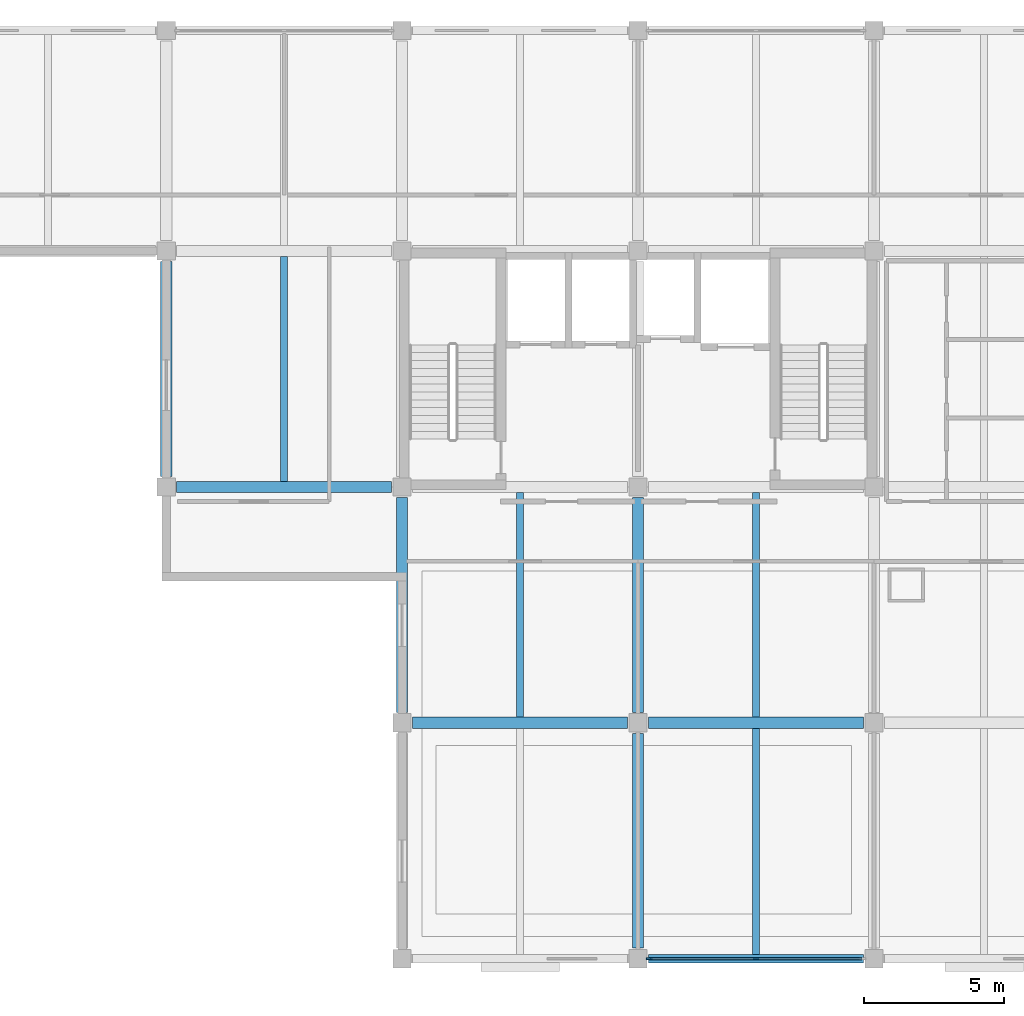
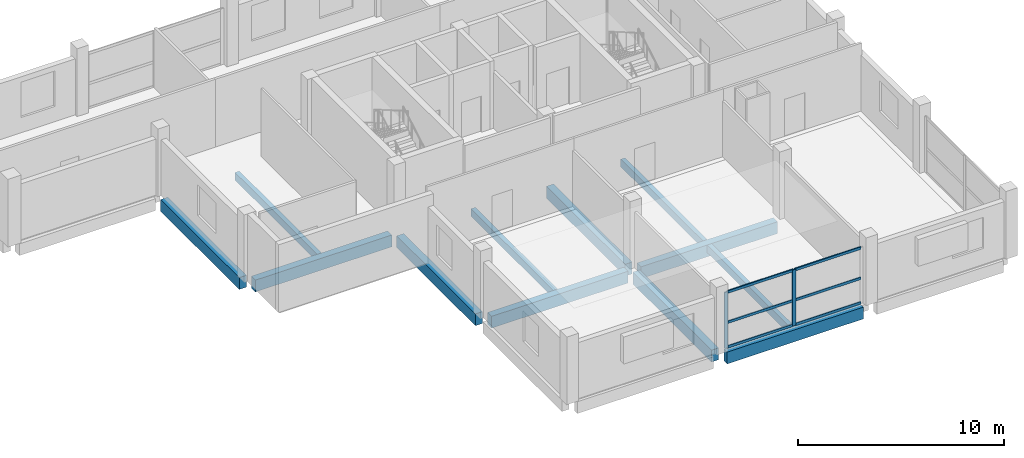
# One storey, part 2 of 9: 12 beams, 8 members, 1 element without a shape of its own.
"""IFC4 building model written with IfcOpenShell, lengths in metres."""

import ifcopenshell
import ifcopenshell.guid

model = None  # the IFC model being written
_history = None  # IfcOwnerHistory: only IFC2X3 demands one
_inside = {}  # id of a spatial element -> (the spatial element, [elements in it])
_under = {}  # id of a project, library or spatial element -> (it, [spatial elements below it])
_declared = {}  # id of a project -> (the project, [libraries it declares])
_typed = {}  # id of a type object -> (the type object, [elements of that type])
_made_of = {}  # id of a material, layer set ... -> (it, [elements and type objects made of it])


def new_model(schema):
    """Start an empty IFC model of exactly this schema.

    Asked for "IFC4X3", IfcOpenShell would pick the latest addendum, in which some entities
    have other attributes; the version numbers below select the first issue.
    IFC2X3 requires an IfcOwnerHistory on every rooted entity: one is made here for all.
    """
    global model, _history
    if schema == "IFC4X3":
        model = ifcopenshell.file(schema_version=(4, 3, 0, 0))
    else:
        model = ifcopenshell.file(schema=schema)
    _inside.clear()
    _under.clear()
    _declared.clear()
    _typed.clear()
    _made_of.clear()
    _history = None
    if model.schema == "IFC2X3":
        org = make("IfcOrganization", Name="unknown")
        user = make(
            "IfcPersonAndOrganization",
            ThePerson=make("IfcPerson", FamilyName="unknown"),
            TheOrganization=org,
        )
        app = make(
            "IfcApplication",
            ApplicationDeveloper=org,
            Version="unknown",
            ApplicationFullName="unknown",
            ApplicationIdentifier="unknown",
        )
        _history = make(
            "IfcOwnerHistory",
            OwningUser=user,
            OwningApplication=app,
            ChangeAction="ADDED",
            CreationDate=0,
        )
    return model


def make(cls, **values):
    """One entity of the class cls with the attributes given. An attribute that is None is left unset."""
    return model.create_entity(
        cls, **{name: value for name, value in values.items() if value is not None}
    )


def rooted(cls, **values):
    """An entity with a GlobalId (a new one), such as an element, a storey or a relation."""
    return make(cls, GlobalId=ifcopenshell.guid.new(), OwnerHistory=_history, **values)


def si_unit(unit_type, name, prefix=None):
    """IfcSIUnit, for example si_unit("LENGTHUNIT", "METRE", prefix="MILLI")."""
    return make("IfcSIUnit", UnitType=unit_type, Prefix=prefix, Name=name)


def assignment(units):
    """IfcUnitAssignment: the units of a project."""
    return None if units is None else make("IfcUnitAssignment", Units=units)


def point(xyz):
    """IfcCartesianPoint."""
    return None if xyz is None else make("IfcCartesianPoint", Coordinates=xyz)


def direction(xyz):
    """IfcDirection."""
    return None if xyz is None else make("IfcDirection", DirectionRatios=xyz)


def frame(location, z_axis=None, x_axis=None):
    """IfcAxis2Placement3D, a coordinate frame: its origin and axes. An axis left out is left unset."""
    return make(
        "IfcAxis2Placement3D",
        Location=point(location),
        Axis=direction(z_axis),
        RefDirection=direction(x_axis),
    )


def frame_2d(location, x_axis=None):
    """IfcAxis2Placement2D, a coordinate frame in the plane: its origin and x axis."""
    return make(
        "IfcAxis2Placement2D", Location=point(location), RefDirection=direction(x_axis)
    )


def origin():
    """The frame at (0, 0, 0) with its axes left unset."""
    return frame((0.0, 0.0, 0.0))


def origin_2d():
    """The frame at (0, 0) in the plane with its x axis left unset."""
    return frame_2d((0.0, 0.0))


def place(relative_to, where):
    """IfcLocalPlacement: puts the frame where relative to a parent placement (None: the world)."""
    return make(
        "IfcLocalPlacement", PlacementRelTo=relative_to, RelativePlacement=where
    )


def context(
    kind, dimensions, precision=None, world=None, true_north=None, identifier=None
):
    """IfcGeometricRepresentationContext, for example the 3D "Model" context."""
    return make(
        "IfcGeometricRepresentationContext",
        ContextIdentifier=identifier,
        ContextType=kind,
        CoordinateSpaceDimension=dimensions,
        Precision=precision,
        WorldCoordinateSystem=world,
        TrueNorth=true_north,
    )


def subcontext(parent, identifier, kind, view, scale=None):
    """IfcGeometricRepresentationSubContext, for example "Body" below "Model"."""
    return make(
        "IfcGeometricRepresentationSubContext",
        ContextIdentifier=identifier,
        ContextType=kind,
        ParentContext=parent,
        TargetScale=scale,
        TargetView=view,
    )


def project(units=None, contexts=None):
    """IfcProject with its units and contexts."""
    return rooted(
        "IfcProject",
        Name="project",
        RepresentationContexts=contexts,
        UnitsInContext=assignment(units),
    )


def spatial(cls, under=None, at=None, **own):
    """A site, building, storey or space (cls), placed at a placement, below another one or the project."""
    s = rooted(cls, ObjectPlacement=at, **own)
    if under is not None:
        _under.setdefault(under.id(), (under, []))[1].append(s)
    return s


def profile(cls, at=None, kind="AREA", **sizes):
    """A parametric profile (cls). Its sizes go by their IFC names, for example OverallWidth=200.0."""
    return make(cls, ProfileType=kind, Position=at, **sizes)


def rectangle(**sizes):
    """IfcRectangleProfileDef."""
    return profile("IfcRectangleProfileDef", **sizes)


def extrude(swept, where, along, depth):
    """IfcExtrudedAreaSolid: the profile swept, set in the frame where, extruded along a direction by depth."""
    return make(
        "IfcExtrudedAreaSolid",
        SweptArea=swept,
        Position=where,
        ExtrudedDirection=direction(along),
        Depth=depth,
    )


def shape(context_of_items, identifier, shape_type, items):
    """IfcShapeRepresentation: the items that make up one representation, for example the "Body"."""
    return make(
        "IfcShapeRepresentation",
        ContextOfItems=context_of_items,
        RepresentationIdentifier=identifier,
        RepresentationType=shape_type,
        Items=items,
    )


def material(Name=None, Category=None):
    """IfcMaterial."""
    return make("IfcMaterial", Name=Name, Category=Category)


def material_profile(
    of_material, cross_section, Name=None, Category=None, Priority=None
):
    """IfcMaterialProfile: a cross section and its material."""
    return make(
        "IfcMaterialProfile",
        Name=Name,
        Material=of_material,
        Profile=cross_section,
        Priority=Priority,
        Category=Category,
    )


def profile_set(profiles, Name=None, composite=None):
    """IfcMaterialProfileSet."""
    return make(
        "IfcMaterialProfileSet",
        Name=Name,
        MaterialProfiles=profiles,
        CompositeProfile=composite,
    )


def made_of(thing, what):
    """Note that an element or type object is made of a material, layer set ...; save() writes the relation."""
    if what is not None:
        _made_of.setdefault(what.id(), (what, []))[1].append(thing)
    return thing


def type_object(cls, material=None, **own):
    """A type object (cls), such as IfcWallType, which elements share."""
    return made_of(rooted(cls, **own), material)


def element(
    cls,
    number,
    at=None,
    inside=None,
    cuts=None,
    type_object=None,
    material=None,
    context=None,
    identifier="Body",
    shape_type=None,
    held_by="IfcProductDefinitionShape",
    body=None,
    shapes=None,
    **own,
):
    """One element of the class cls, such as IfcWall. Its Tag is "e" and its number.

    at: its placement. inside: the storey or other place that contains it. cuts: it is an
    opening in that element (IfcRelVoidsElement). A single representation is given by context,
    identifier, shape_type and body (its items); several are given by shapes. held_by: the class
    of the entity that holds the representations. save() writes the other relations.
    """
    e = rooted(cls, Tag="e%d" % number, ObjectPlacement=at, **own)
    if body is not None:
        shapes = [shape(context, identifier, shape_type, body)]
    if shapes is not None:
        e.Representation = make(held_by, Representations=shapes)
    if inside is not None:
        _inside.setdefault(inside.id(), (inside, []))[1].append(e)
    if cuts is not None:
        rooted(
            "IfcRelVoidsElement", RelatingBuildingElement=cuts, RelatedOpeningElement=e
        )
    if type_object is not None:
        _typed.setdefault(type_object.id(), (type_object, []))[1].append(e)
    return made_of(e, material)


def aggregate(whole, parts):
    """IfcRelAggregates: a whole, such as a stair, and the parts it consists of."""
    return rooted("IfcRelAggregates", RelatingObject=whole, RelatedObjects=parts)


def save(model, path):
    """Write the relations noted so far, then the file.

    IfcRelAggregates (storeys below a building ...), IfcRelContainedInSpatialStructure (elements
    in a storey), IfcRelDefinesByType, IfcRelAssociatesMaterial and IfcRelDeclares: one each for
    every whole, place, type object, material and project.
    """
    for whole, parts in _under.values():
        aggregate(whole, parts)
    for where, things in _inside.values():
        rooted(
            "IfcRelContainedInSpatialStructure",
            RelatedElements=things,
            RelatingStructure=where,
        )
    for kind, things in _typed.values():
        rooted("IfcRelDefinesByType", RelatedObjects=things, RelatingType=kind)
    for what, things in _made_of.values():
        rooted("IfcRelAssociatesMaterial", RelatedObjects=things, RelatingMaterial=what)
    for by, libraries in _declared.values():
        rooted("IfcRelDeclares", RelatingContext=by, RelatedDefinitions=libraries)
    model.write(path)


model = new_model("IFC4")

# Units and contexts
model_context = context("Model", 3, precision=1e-05, world=origin(), true_north=direction((0.0, 1.0)))
body_context = subcontext(model_context, "Body", "Model", "MODEL_VIEW")
ifc_project = project(units=[si_unit("LENGTHUNIT", "METRE"), si_unit("AREAUNIT", "SQUARE_METRE"), si_unit("VOLUMEUNIT", "CUBIC_METRE"), si_unit("PLANEANGLEUNIT", "RADIAN"), si_unit("MASSUNIT", "GRAM", prefix="KILO")], contexts=[model_context])

# Site, building, storey
site_placement = place(None, origin())
site = spatial("IfcSite", under=ifc_project, at=site_placement, CompositionType="ELEMENT")
building_placement = place(site_placement, origin())
building = spatial("IfcBuilding", under=site, at=building_placement, Name="Brinegate Botanical Conservatory", CompositionType="ELEMENT")
storey_placement = place(building_placement, frame((0.0, 0.0, 57.0)))
storey = spatial("IfcBuildingStorey", under=building, at=storey_placement, Name="L14", CompositionType="ELEMENT", Elevation=57.0)

# Beams
ifc_material_1 = material(Name="Concrete C40/50", Category="concrete")
ifc_material_profile_1 = material_profile(ifc_material_1, rectangle(XDim=0.39990234375, YDim=0.699951171875, at=origin_2d()), Name="RC BM 400x700")
ifc_profile_set_1 = profile_set([ifc_material_profile_1], Name="Concrete C40/50")
beam_type_1 = type_object("IfcBeamType", Name="Beam_BM-T2", PredefinedType="BEAM", material=ifc_profile_set_1)
beam_1_placement = place(storey_placement, frame((139.175048828125, 86.800048828125, -0.52001953125), z_axis=(1.0, 0.0, 0.0), x_axis=(0.0, 1.0, 0.0)))
element("IfcBeam", 1, at=beam_1_placement, inside=storey, type_object=beam_type_1, Name="Beam BM-T2 L14 L:18-19", PredefinedType="BEAM", context=body_context, shape_type="SweptSolid", body=[
    extrude(rectangle(XDim=0.39990234375, YDim=0.699951171875, at=origin_2d()), origin(), (0.0, 0.0, 1.0), 7.64990234375),
])
for number, where, z_axis, x_axis, name in (
    (2, (147.574951171875, 86.800048828125, -0.52001953125), (1.0, 0.0, 0.0), (0.0, 1.0, 0.0), "Beam BM-T2 L14 L:19-20"),
    (3, (130.77490234375, 95.199951171875, -0.52001953125), (1.0, 0.0, 0.0), (0.0, 1.0, 0.0), "Beam BM-T2 L14 M:17-18"),
    (4, (130.39990234375, 95.574951171875, -0.52001953125), (0.0, 1.0, 0.0), (-1.0, 0.0, 0.0), "Beam BM-T2 L14 17:M-N"),
):
    element("IfcBeam", number, at=place(storey_placement, frame(where, z_axis=z_axis, x_axis=x_axis)), inside=storey, type_object=beam_type_1, Name=name, PredefinedType="BEAM", context=body_context, shape_type="SweptSolid", body=[
        extrude(rectangle(XDim=0.39990234375, YDim=0.699951171875, at=origin_2d()), origin(), (0.0, 0.0, 1.0), 7.650146484375),
    ])
beam_2_placement = place(storey_placement, frame((138.800048828125, 87.175048828125, -0.52001953125), z_axis=(0.0, 1.0, 0.0), x_axis=(-1.0, 0.0, 0.0)))
element("IfcBeam", 5, at=beam_2_placement, inside=storey, type_object=beam_type_1, Name="Beam BM-T2 L14 18:L-M", PredefinedType="BEAM", context=body_context, shape_type="SweptSolid", body=[
    extrude(rectangle(XDim=0.39990234375, YDim=0.699951171875, at=origin_2d()), origin(), (0.0, 0.0, 1.0), 7.64990234375),
])
beam_3_placement = place(storey_placement, frame((147.199951171875, 78.77490234375, -0.52001953125), z_axis=(0.0, 1.0, 0.0), x_axis=(-1.0, 0.0, 0.0)))
element("IfcBeam", 6, at=beam_3_placement, inside=storey, type_object=beam_type_1, Name="Beam BM-T2 L14 19:K-L", PredefinedType="BEAM", context=body_context, shape_type="SweptSolid", body=[
    extrude(rectangle(XDim=0.39990234375, YDim=0.699951171875, at=origin_2d()), origin(), (0.0, 0.0, 1.0), 7.650146484375),
])
beam_4_placement = place(storey_placement, frame((147.199951171875, 87.175048828125, -0.52001953125), z_axis=(0.0, 1.0, 0.0), x_axis=(-1.0, 0.0, 0.0)))
element("IfcBeam", 7, at=beam_4_placement, inside=storey, type_object=beam_type_1, Name="Beam BM-T2 L14 19:L-M", PredefinedType="BEAM", context=body_context, shape_type="SweptSolid", body=[
    extrude(rectangle(XDim=0.39990234375, YDim=0.699951171875, at=origin_2d()), origin(), (0.0, 0.0, 1.0), 7.64990234375),
])
ifc_material_profile_2 = material_profile(ifc_material_1, rectangle(XDim=0.25, YDim=0.449951171875, at=origin_2d()), Name="RC JST 250x450")
ifc_profile_set_2 = profile_set([ifc_material_profile_2], Name="Concrete C40/50")
beam_type_2 = type_object("IfcBeamType", Name="Beam_JS-C3", PredefinedType="JOIST", material=ifc_profile_set_2)
for number, where, z_axis, x_axis, name in (
    (8, (134.60009765625, 95.39990234375, -0.39501953125), (0.0, 1.0, 0.0), (-1.0, 0.0, 0.0), "Floor joist JS-C3 L14 bay 17.12"),
    (9, (143.0, 87.0, -0.39501953125), (0.0, 1.0, 0.0), (-1.0, 0.0, 0.0), "Floor joist JS-C3 L14 bay 18.11"),
):
    element("IfcBeam", number, at=place(storey_placement, frame(where, z_axis=z_axis, x_axis=x_axis)), inside=storey, type_object=beam_type_2, Name=name, PredefinedType="JOIST", context=body_context, shape_type="SweptSolid", body=[
        extrude(rectangle(XDim=0.25, YDim=0.449951171875, at=origin_2d()), origin(), (0.0, 0.0, 1.0), 8.0),
    ])
beam_5_placement = place(storey_placement, frame((151.39990234375, 78.550048828125, -0.39501953125), z_axis=(0.0, 1.0, 0.0), x_axis=(-1.0, 0.0, 0.0)))
element("IfcBeam", 10, at=beam_5_placement, inside=storey, type_object=beam_type_2, Name="Floor joist JS-C3 L14 bay 19.10", PredefinedType="JOIST", context=body_context, shape_type="SweptSolid", body=[
    extrude(rectangle(XDim=0.25, YDim=0.449951171875, at=origin_2d()), origin(), (0.0, 0.0, 1.0), 8.050048828125),
])
beam_6_placement = place(storey_placement, frame((151.39990234375, 87.0, -0.39501953125), z_axis=(0.0, 1.0, 0.0), x_axis=(-1.0, 0.0, 0.0)))
element("IfcBeam", 11, at=beam_6_placement, inside=storey, type_object=beam_type_2, Name="Floor joist JS-C3 L14 bay 19.11", PredefinedType="JOIST", context=body_context, shape_type="SweptSolid", body=[
    extrude(rectangle(XDim=0.25, YDim=0.449951171875, at=origin_2d()), origin(), (0.0, 0.0, 1.0), 8.0),
])
ifc_material_profile_3 = material_profile(ifc_material_1, rectangle(XDim=0.300048828125, YDim=0.699951171875, at=origin_2d()), Name="RC SPN 300x700")
ifc_profile_set_3 = profile_set([ifc_material_profile_3], Name="Concrete C40/50")
beam_type_3 = type_object("IfcBeamType", Name="Beam_SP-02", PredefinedType="SPANDREL", material=ifc_profile_set_3)
beam_7_placement = place(storey_placement, frame((147.574951171875, 78.39990234375, -0.52001953125), z_axis=(1.0, 0.0, 0.0), x_axis=(0.0, 1.0, 0.0)))
element("IfcBeam", 12, at=beam_7_placement, inside=storey, type_object=beam_type_3, Name="Beam SP-02 L14 K:19-20", PredefinedType="SPANDREL", context=body_context, shape_type="SweptSolid", body=[
    extrude(rectangle(XDim=0.300048828125, YDim=0.699951171875, at=origin_2d()), origin(), (0.0, 0.0, 1.0), 7.650146484375),
])

# Curtain wall, members
ifc_material_2 = material(Name="Thermally broken anodised aluminium AW-6063-T6", Category="aluminium")
curtain_wall_type = type_object("IfcCurtainWallType", Name="CW_CW-TW1", PredefinedType="USERDEFINED", material=ifc_material_2)
curtain_wall_placement = place(storey_placement, origin())
curtain_wall = element("IfcCurtainWall", 13, at=curtain_wall_placement, inside=storey, type_object=curtain_wall_type, Name="Tower south curtain wall L14.2", ObjectType="FACTORY CURTAIN WALL", PredefinedType="USERDEFINED")
ifc_material_profile_4 = material_profile(ifc_material_2, rectangle(XDim=0.070068359375, YDim=0.199951171875, at=origin_2d()), Name="ALUM MULLION 70x200")
ifc_profile_set_4 = profile_set([ifc_material_profile_4], Name="Thermally broken anodised aluminium AW-6063-T6")
member_type_1 = type_object("IfcMemberType", Name="Member_ML-03", PredefinedType="MULLION", material=ifc_profile_set_4)
member_1_placement = place(storey_placement, frame((151.39990234375, 78.39990234375, 0.0), z_axis=(0.0, 0.0, 1.0), x_axis=(0.0, -1.0, 0.0)))
member_1 = element("IfcMember", 14, at=member_1_placement, type_object=member_type_1, Name="CW-TW1 mullion 2", PredefinedType="MULLION", context=body_context, shape_type="SweptSolid", body=[
    extrude(rectangle(XDim=0.070068359375, YDim=0.199951171875, at=origin_2d()), origin(), (0.0, 0.0, 1.0), 3.320068359375),
])
member_2_placement = place(storey_placement, frame((147.60009765625, 78.39990234375, 0.0), z_axis=(0.0, 0.0, 1.0), x_axis=(0.0, -1.0, 0.0)))
member_2 = element("IfcMember", 15, at=member_2_placement, type_object=member_type_1, Name="CW-TW1 mullion 3", PredefinedType="MULLION", context=body_context, shape_type="SweptSolid", body=[
    extrude(rectangle(XDim=0.070068359375, YDim=0.199951171875, at=origin_2d()), origin(), (0.0, 0.0, 1.0), 3.320068359375),
])
ifc_material_profile_5 = material_profile(ifc_material_2, rectangle(XDim=0.070068359375, YDim=0.14990234375, at=origin_2d()), Name="ALUM TRANSOM 70x150")
ifc_profile_set_5 = profile_set([ifc_material_profile_5], Name="Thermally broken anodised aluminium AW-6063-T6")
member_type_2 = type_object("IfcMemberType", Name="Member_TR-03", PredefinedType="USERDEFINED", material=ifc_profile_set_5)
member_3_placement = place(storey_placement, frame((155.1650390625, 78.39990234375, 0.034912109375), z_axis=(-1.0, 0.0, 0.0), x_axis=(0.0, -1.0, 0.0)))
member_3 = element("IfcMember", 16, at=member_3_placement, type_object=member_type_2, Name="CW-TW1 transom 1.1", ObjectType="TRANSOM", PredefinedType="USERDEFINED", context=body_context, shape_type="SweptSolid", body=[
    extrude(rectangle(XDim=0.070068359375, YDim=0.14990234375, at=origin_2d()), origin(), (0.0, 0.0, 1.0), 3.72998046875),
])
member_4_placement = place(storey_placement, frame((155.1650390625, 78.39990234375, 1.493896484375), z_axis=(-1.0, 0.0, 0.0), x_axis=(0.0, -1.0, 0.0)))
member_4 = element("IfcMember", 17, at=member_4_placement, type_object=member_type_2, Name="CW-TW1 transom 1.2", ObjectType="TRANSOM", PredefinedType="USERDEFINED", context=body_context, shape_type="SweptSolid", body=[
    extrude(rectangle(XDim=0.070068359375, YDim=0.14990234375, at=origin_2d()), origin(), (0.0, 0.0, 1.0), 3.72998046875),
])
member_5_placement = place(storey_placement, frame((155.1650390625, 78.39990234375, 3.284912109375), z_axis=(-1.0, 0.0, 0.0), x_axis=(0.0, -1.0, 0.0)))
member_5 = element("IfcMember", 18, at=member_5_placement, type_object=member_type_2, Name="CW-TW1 transom 1.3", ObjectType="TRANSOM", PredefinedType="USERDEFINED", context=body_context, shape_type="SweptSolid", body=[
    extrude(rectangle(XDim=0.070068359375, YDim=0.14990234375, at=origin_2d()), origin(), (0.0, 0.0, 1.0), 3.72998046875),
])
member_6_placement = place(storey_placement, frame((151.364990234375, 78.39990234375, 0.034912109375), z_axis=(-1.0, 0.0, 0.0), x_axis=(0.0, -1.0, 0.0)))
member_6 = element("IfcMember", 19, at=member_6_placement, type_object=member_type_2, Name="CW-TW1 transom 2.1", ObjectType="TRANSOM", PredefinedType="USERDEFINED", context=body_context, shape_type="SweptSolid", body=[
    extrude(rectangle(XDim=0.070068359375, YDim=0.14990234375, at=origin_2d()), origin(), (0.0, 0.0, 1.0), 3.72998046875),
])
member_7_placement = place(storey_placement, frame((151.364990234375, 78.39990234375, 1.493896484375), z_axis=(-1.0, 0.0, 0.0), x_axis=(0.0, -1.0, 0.0)))
member_7 = element("IfcMember", 20, at=member_7_placement, type_object=member_type_2, Name="CW-TW1 transom 2.2", ObjectType="TRANSOM", PredefinedType="USERDEFINED", context=body_context, shape_type="SweptSolid", body=[
    extrude(rectangle(XDim=0.070068359375, YDim=0.14990234375, at=origin_2d()), origin(), (0.0, 0.0, 1.0), 3.72998046875),
])
member_8_placement = place(storey_placement, frame((151.364990234375, 78.39990234375, 3.284912109375), z_axis=(-1.0, 0.0, 0.0), x_axis=(0.0, -1.0, 0.0)))
member_8 = element("IfcMember", 21, at=member_8_placement, type_object=member_type_2, Name="CW-TW1 transom 2.3", ObjectType="TRANSOM", PredefinedType="USERDEFINED", context=body_context, shape_type="SweptSolid", body=[
    extrude(rectangle(XDim=0.070068359375, YDim=0.14990234375, at=origin_2d()), origin(), (0.0, 0.0, 1.0), 3.72998046875),
])
aggregate(curtain_wall, [member_1, member_2, member_3, member_4, member_5, member_6, member_7, member_8])

save(model, "model.ifc")
